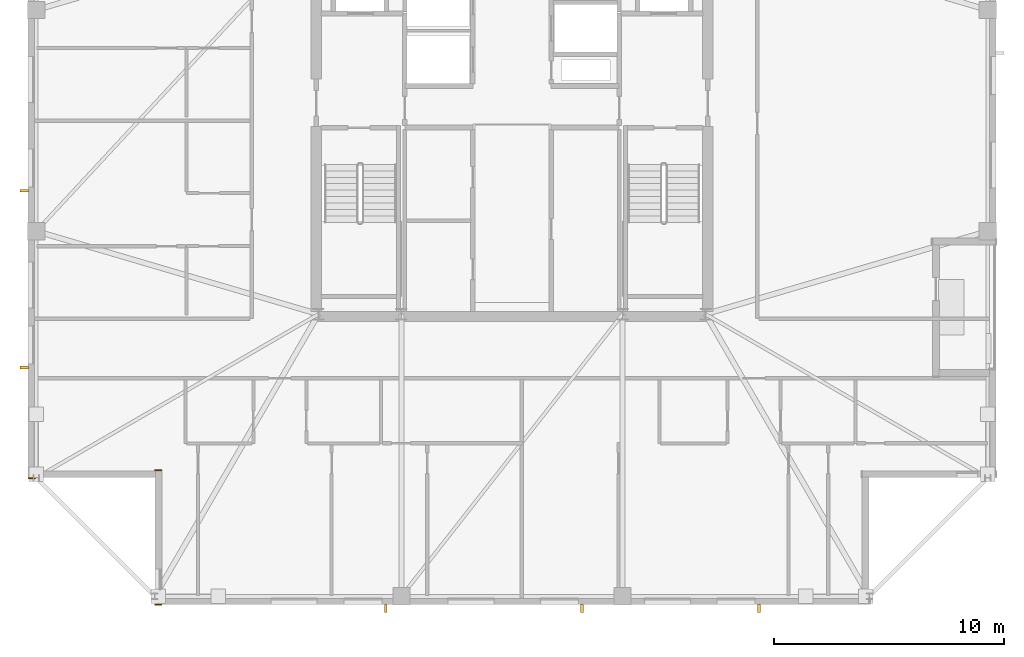
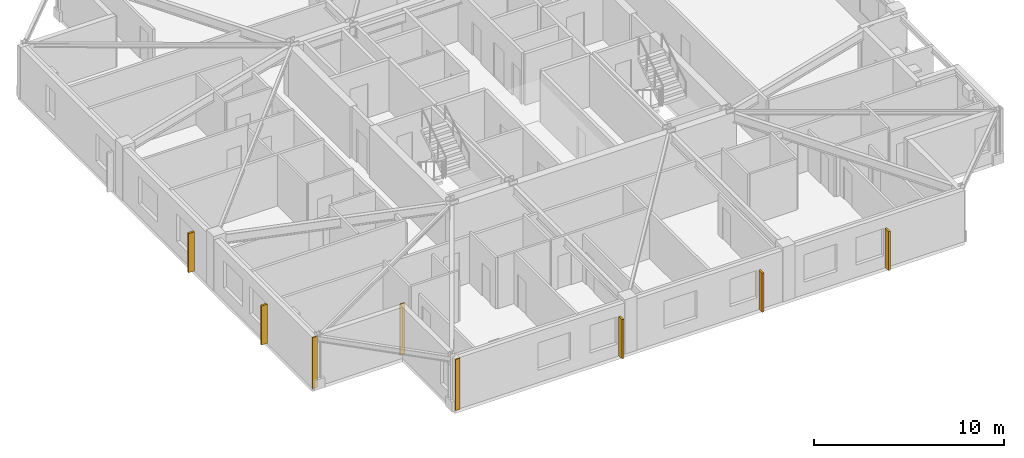
# One storey, part 12 of 15: 5 shading devices, 3 coverings.
"""IFC4 building model written with IfcOpenShell, lengths in metres."""

import ifcopenshell
import ifcopenshell.guid

model = None  # the IFC model being written
_history = None  # IfcOwnerHistory: only IFC2X3 demands one
_inside = {}  # id of a spatial element -> (the spatial element, [elements in it])
_under = {}  # id of a project, library or spatial element -> (it, [spatial elements below it])
_declared = {}  # id of a project -> (the project, [libraries it declares])
_typed = {}  # id of a type object -> (the type object, [elements of that type])
_made_of = {}  # id of a material, layer set ... -> (it, [elements and type objects made of it])


def new_model(schema):
    """Start an empty IFC model of exactly this schema.

    Asked for "IFC4X3", IfcOpenShell would pick the latest addendum, in which some entities
    have other attributes; the version numbers below select the first issue.
    IFC2X3 requires an IfcOwnerHistory on every rooted entity: one is made here for all.
    """
    global model, _history
    if schema == "IFC4X3":
        model = ifcopenshell.file(schema_version=(4, 3, 0, 0))
    else:
        model = ifcopenshell.file(schema=schema)
    _inside.clear()
    _under.clear()
    _declared.clear()
    _typed.clear()
    _made_of.clear()
    _history = None
    if model.schema == "IFC2X3":
        org = make("IfcOrganization", Name="unknown")
        user = make(
            "IfcPersonAndOrganization",
            ThePerson=make("IfcPerson", FamilyName="unknown"),
            TheOrganization=org,
        )
        app = make(
            "IfcApplication",
            ApplicationDeveloper=org,
            Version="unknown",
            ApplicationFullName="unknown",
            ApplicationIdentifier="unknown",
        )
        _history = make(
            "IfcOwnerHistory",
            OwningUser=user,
            OwningApplication=app,
            ChangeAction="ADDED",
            CreationDate=0,
        )
    return model


def make(cls, **values):
    """One entity of the class cls with the attributes given. An attribute that is None is left unset."""
    return model.create_entity(
        cls, **{name: value for name, value in values.items() if value is not None}
    )


def rooted(cls, **values):
    """An entity with a GlobalId (a new one), such as an element, a storey or a relation."""
    return make(cls, GlobalId=ifcopenshell.guid.new(), OwnerHistory=_history, **values)


def si_unit(unit_type, name, prefix=None):
    """IfcSIUnit, for example si_unit("LENGTHUNIT", "METRE", prefix="MILLI")."""
    return make("IfcSIUnit", UnitType=unit_type, Prefix=prefix, Name=name)


def assignment(units):
    """IfcUnitAssignment: the units of a project."""
    return None if units is None else make("IfcUnitAssignment", Units=units)


def point(xyz):
    """IfcCartesianPoint."""
    return None if xyz is None else make("IfcCartesianPoint", Coordinates=xyz)


def direction(xyz):
    """IfcDirection."""
    return None if xyz is None else make("IfcDirection", DirectionRatios=xyz)


def frame(location, z_axis=None, x_axis=None):
    """IfcAxis2Placement3D, a coordinate frame: its origin and axes. An axis left out is left unset."""
    return make(
        "IfcAxis2Placement3D",
        Location=point(location),
        Axis=direction(z_axis),
        RefDirection=direction(x_axis),
    )


def frame_2d(location, x_axis=None):
    """IfcAxis2Placement2D, a coordinate frame in the plane: its origin and x axis."""
    return make(
        "IfcAxis2Placement2D", Location=point(location), RefDirection=direction(x_axis)
    )


def origin():
    """The frame at (0, 0, 0) with its axes left unset."""
    return frame((0.0, 0.0, 0.0))


def origin_2d():
    """The frame at (0, 0) in the plane with its x axis left unset."""
    return frame_2d((0.0, 0.0))


def place(relative_to, where):
    """IfcLocalPlacement: puts the frame where relative to a parent placement (None: the world)."""
    return make(
        "IfcLocalPlacement", PlacementRelTo=relative_to, RelativePlacement=where
    )


def context(
    kind, dimensions, precision=None, world=None, true_north=None, identifier=None
):
    """IfcGeometricRepresentationContext, for example the 3D "Model" context."""
    return make(
        "IfcGeometricRepresentationContext",
        ContextIdentifier=identifier,
        ContextType=kind,
        CoordinateSpaceDimension=dimensions,
        Precision=precision,
        WorldCoordinateSystem=world,
        TrueNorth=true_north,
    )


def subcontext(parent, identifier, kind, view, scale=None):
    """IfcGeometricRepresentationSubContext, for example "Body" below "Model"."""
    return make(
        "IfcGeometricRepresentationSubContext",
        ContextIdentifier=identifier,
        ContextType=kind,
        ParentContext=parent,
        TargetScale=scale,
        TargetView=view,
    )


def project(units=None, contexts=None):
    """IfcProject with its units and contexts."""
    return rooted(
        "IfcProject",
        Name="project",
        RepresentationContexts=contexts,
        UnitsInContext=assignment(units),
    )


def spatial(cls, under=None, at=None, **own):
    """A site, building, storey or space (cls), placed at a placement, below another one or the project."""
    s = rooted(cls, ObjectPlacement=at, **own)
    if under is not None:
        _under.setdefault(under.id(), (under, []))[1].append(s)
    return s


def profile(cls, at=None, kind="AREA", **sizes):
    """A parametric profile (cls). Its sizes go by their IFC names, for example OverallWidth=200.0."""
    return make(cls, ProfileType=kind, Position=at, **sizes)


def rectangle(**sizes):
    """IfcRectangleProfileDef."""
    return profile("IfcRectangleProfileDef", **sizes)


def extrude(swept, where, along, depth):
    """IfcExtrudedAreaSolid: the profile swept, set in the frame where, extruded along a direction by depth."""
    return make(
        "IfcExtrudedAreaSolid",
        SweptArea=swept,
        Position=where,
        ExtrudedDirection=direction(along),
        Depth=depth,
    )


def shape(context_of_items, identifier, shape_type, items):
    """IfcShapeRepresentation: the items that make up one representation, for example the "Body"."""
    return make(
        "IfcShapeRepresentation",
        ContextOfItems=context_of_items,
        RepresentationIdentifier=identifier,
        RepresentationType=shape_type,
        Items=items,
    )


def material(Name=None, Category=None):
    """IfcMaterial."""
    return make("IfcMaterial", Name=Name, Category=Category)


def layer(
    of_material, thickness, ventilated=None, Name=None, Category=None, Priority=None
):
    """IfcMaterialLayer: one layer of a wall or slab, of a material (None: an air gap)."""
    return make(
        "IfcMaterialLayer",
        Material=of_material,
        LayerThickness=thickness,
        IsVentilated=ventilated,
        Name=Name,
        Category=Category,
        Priority=Priority,
    )


def layer_set(layers, Name=None):
    """IfcMaterialLayerSet."""
    return make("IfcMaterialLayerSet", MaterialLayers=layers, LayerSetName=Name)


def made_of(thing, what):
    """Note that an element or type object is made of a material, layer set ...; save() writes the relation."""
    if what is not None:
        _made_of.setdefault(what.id(), (what, []))[1].append(thing)
    return thing


def type_object(cls, material=None, **own):
    """A type object (cls), such as IfcWallType, which elements share."""
    return made_of(rooted(cls, **own), material)


def element(
    cls,
    number,
    at=None,
    inside=None,
    cuts=None,
    type_object=None,
    material=None,
    context=None,
    identifier="Body",
    shape_type=None,
    held_by="IfcProductDefinitionShape",
    body=None,
    shapes=None,
    **own,
):
    """One element of the class cls, such as IfcWall. Its Tag is "e" and its number.

    at: its placement. inside: the storey or other place that contains it. cuts: it is an
    opening in that element (IfcRelVoidsElement). A single representation is given by context,
    identifier, shape_type and body (its items); several are given by shapes. held_by: the class
    of the entity that holds the representations. save() writes the other relations.
    """
    e = rooted(cls, Tag="e%d" % number, ObjectPlacement=at, **own)
    if body is not None:
        shapes = [shape(context, identifier, shape_type, body)]
    if shapes is not None:
        e.Representation = make(held_by, Representations=shapes)
    if inside is not None:
        _inside.setdefault(inside.id(), (inside, []))[1].append(e)
    if cuts is not None:
        rooted(
            "IfcRelVoidsElement", RelatingBuildingElement=cuts, RelatedOpeningElement=e
        )
    if type_object is not None:
        _typed.setdefault(type_object.id(), (type_object, []))[1].append(e)
    return made_of(e, material)


def aggregate(whole, parts):
    """IfcRelAggregates: a whole, such as a stair, and the parts it consists of."""
    return rooted("IfcRelAggregates", RelatingObject=whole, RelatedObjects=parts)


def save(model, path):
    """Write the relations noted so far, then the file.

    IfcRelAggregates (storeys below a building ...), IfcRelContainedInSpatialStructure (elements
    in a storey), IfcRelDefinesByType, IfcRelAssociatesMaterial and IfcRelDeclares: one each for
    every whole, place, type object, material and project.
    """
    for whole, parts in _under.values():
        aggregate(whole, parts)
    for where, things in _inside.values():
        rooted(
            "IfcRelContainedInSpatialStructure",
            RelatedElements=things,
            RelatingStructure=where,
        )
    for kind, things in _typed.values():
        rooted("IfcRelDefinesByType", RelatedObjects=things, RelatingType=kind)
    for what, things in _made_of.values():
        rooted("IfcRelAssociatesMaterial", RelatedObjects=things, RelatingMaterial=what)
    for by, libraries in _declared.values():
        rooted("IfcRelDeclares", RelatingContext=by, RelatedDefinitions=libraries)
    model.write(path)


model = new_model("IFC4")

# Units and contexts
model_context = context("Model", 3, precision=1e-05, world=origin(), true_north=direction((0.0, 1.0)))
body_context = subcontext(model_context, "Body", "Model", "MODEL_VIEW")
ifc_project = project(units=[si_unit("LENGTHUNIT", "METRE"), si_unit("AREAUNIT", "SQUARE_METRE"), si_unit("VOLUMEUNIT", "CUBIC_METRE"), si_unit("PLANEANGLEUNIT", "RADIAN"), si_unit("MASSUNIT", "GRAM", prefix="KILO")], contexts=[model_context])

# Site, building, storey
site_placement = place(None, origin())
site = spatial("IfcSite", under=ifc_project, at=site_placement, CompositionType="ELEMENT")
building_placement = place(site_placement, origin())
building = spatial("IfcBuilding", under=site, at=building_placement, Name="Cairnveth Concourse Tower", CompositionType="ELEMENT")
storey_placement = place(building_placement, frame((0.0, 0.0, 298.0)))
storey = spatial("IfcBuildingStorey", under=building, at=storey_placement, Name="L82", CompositionType="ELEMENT", Elevation=298.0)

# Coverings
ifc_material_1 = material(Name="Dressed Melbourne Bluestone Cladding", Category="masonry")
ifc_layer = layer(ifc_material_1, 0.050048828125)
ifc_layer_set = layer_set([ifc_layer], Name="Dressed Melbourne Bluestone Cladding")
covering_type = type_object("IfcCoveringType", Name="DRESSED BLUESTONE PLINTH CLADDING 50", PredefinedType="CLADDING", material=ifc_layer_set)
for number, where, z_axis, x_axis, name in (
    (1, (36.800048828125, 17.97998046875, 0.0), (0.0, 0.0, 1.0), (-1.0, 0.0, 0.0), "Melbourne Bluestone Corner Quoin L82-1247"),
    (2, (36.800048828125, 23.820068359375, 0.0), (0.0, 0.0, 1.0), (-1.0, 0.0, 0.0), "Melbourne Bluestone Corner Quoin L82-1248"),
    (3, (31.300048828125, 23.47998046875, 0.0), (0.0, 0.0, 1.0), (-1.0, 0.0, 0.0), "Melbourne Bluestone Corner Quoin L82-1249"),
):
    element("IfcCovering", number, at=place(storey_placement, frame(where, z_axis=z_axis, x_axis=x_axis)), inside=storey, type_object=covering_type, Name=name, PredefinedType="CLADDING", context=body_context, shape_type="SweptSolid", body=[
        extrude(rectangle(XDim=0.300048828125, YDim=0.050048828125, at=frame_2d((0.14990234375, 0.0))), origin(), (0.0, 0.0, 1.0), 3.2900390625),
    ])

# Shading devices
ifc_material_2 = material(Name="Architectural Bronze Anodised Aluminium 6063-T6", Category="aluminium")
shading_device_type = type_object("IfcShadingDeviceType", Name="GOTHIC BRONZE VERTICAL LANCET FIN", PredefinedType="USERDEFINED", material=ifc_material_2)
for number, where, z_axis, x_axis, name in (
    (4, (62.716552734375, 17.824951171875, 0.030029296875), (0.0, 0.0, 1.0), (1.0, 0.0, 0.0), "Gothic Bronze Vertical Fin L82-3-1"),
    (5, (55.04248046875, 17.824951171875, 0.030029296875), (0.0, 0.0, 1.0), (1.0, 0.0, 0.0), "Gothic Bronze Vertical Fin L82-3-3"),
    (6, (46.5185546875, 17.824951171875, 0.030029296875), (0.0, 0.0, 1.0), (1.0, 0.0, 0.0), "Gothic Bronze Vertical Fin L82-3-5"),
    (7, (30.824951171875, 28.283447265625, 0.030029296875), (0.0, 0.0, 1.0), (0.0, 1.0, 0.0), "Gothic Bronze Vertical Fin L82-6-1"),
    (8, (30.824951171875, 35.95751953125, 0.030029296875), (0.0, 0.0, 1.0), (0.0, 1.0, 0.0), "Gothic Bronze Vertical Fin L82-6-3"),
):
    element("IfcShadingDevice", number, at=place(storey_placement, frame(where, z_axis=z_axis, x_axis=x_axis)), inside=storey, type_object=shading_device_type, Name=name, ObjectType="VERTICAL FIN", PredefinedType="USERDEFINED", context=body_context, shape_type="SweptSolid", body=[
        extrude(rectangle(XDim=0.1201171875, YDim=0.360107421875, at=origin_2d()), origin(), (0.0, 0.0, 1.0), 2.51806640625),
    ])

save(model, "model.ifc")
